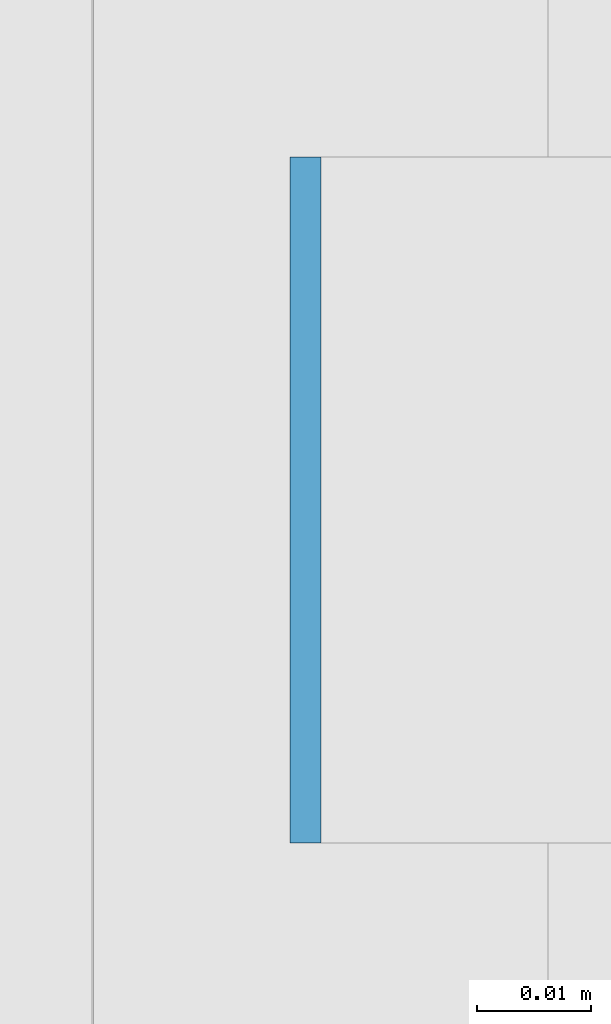
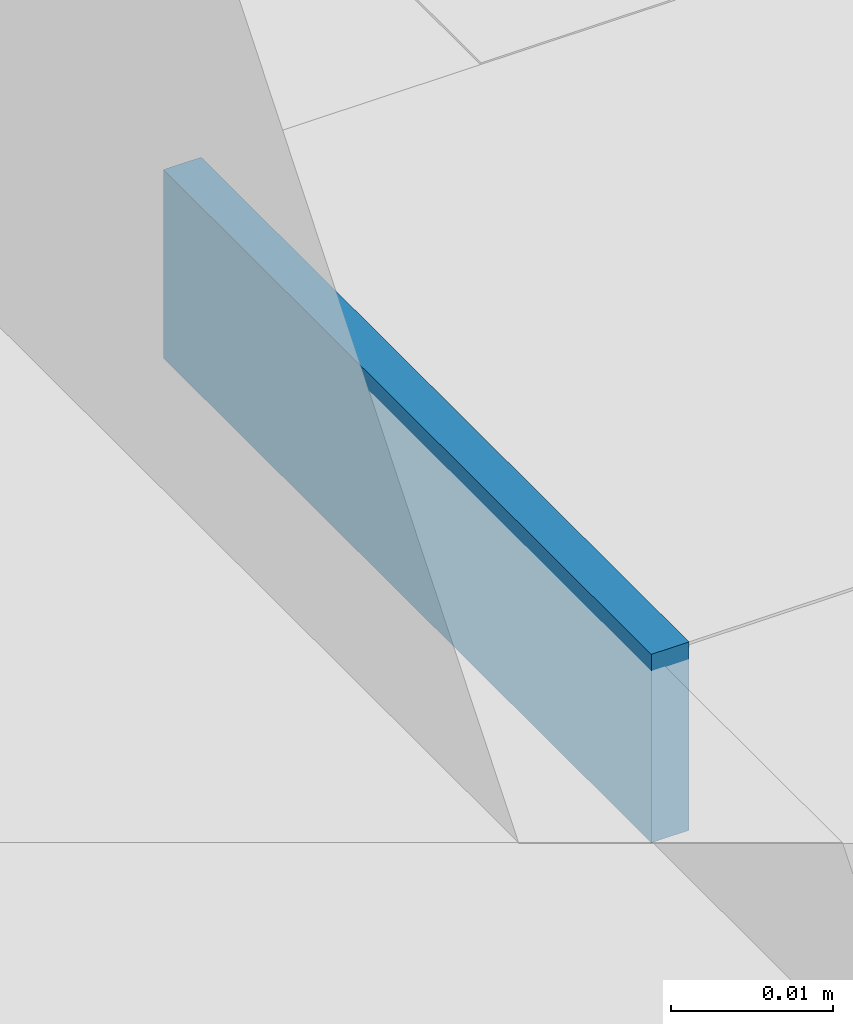
# One storey, part 517 of 646: 1 discrete accessory.
"""IFC4 building model written with IfcOpenShell, lengths in metres."""

from ifc_helpers import new_model, si_unit, direction, frame, origin, origin_2d, place, context, subcontext, project, spatial, rectangle, extrude, material, type_object, element, save


model = new_model("IFC4")

# Units and contexts
model_context = context("Model", 3, precision=1e-05, world=origin(), true_north=direction((0.0, 1.0)))
body_context = subcontext(model_context, "Body", "Model", "MODEL_VIEW")
ifc_project = project(units=[si_unit("LENGTHUNIT", "METRE"), si_unit("AREAUNIT", "SQUARE_METRE"), si_unit("VOLUMEUNIT", "CUBIC_METRE"), si_unit("PLANEANGLEUNIT", "RADIAN"), si_unit("MASSUNIT", "GRAM", prefix="KILO")], contexts=[model_context])

# Site, building, storey
site_placement = place(None, origin())
site = spatial("IfcSite", under=ifc_project, at=site_placement, CompositionType="ELEMENT")
building_placement = place(site_placement, origin())
building = spatial("IfcBuilding", under=site, at=building_placement, Name="Silverbay Arena", CompositionType="ELEMENT")
storey_placement = place(building_placement, frame((0.0, 0.0, 33.5)))
storey = spatial("IfcBuildingStorey", under=building, at=storey_placement, Name="L05", CompositionType="ELEMENT", Elevation=33.5)

# Discrete accessory
ifc_material = material(Name="Steel S355", Category="steel")
discrete_accessory_type = type_object("IfcDiscreteAccessoryType", Name="Steel bracket plate", PredefinedType="BRACKET", material=ifc_material)
discrete_accessory_placement = place(storey_placement, frame((207.128662109375, 77.142822265625, 12.98583984375), z_axis=(0.0, 0.0, 1.0), x_axis=(1.0, 0.0, 0.0)))
element("IfcDiscreteAccessory", 1, at=discrete_accessory_placement, inside=storey, type_object=discrete_accessory_type, Name="Curtain wall packing plate", PredefinedType="BRACKET", context=body_context, shape_type="SweptSolid", body=[
    extrude(rectangle(XDim=0.002685546875, YDim=0.06005859375, at=origin_2d()), origin(), (0.0, 0.0, 1.0), 0.01416015625),
])

save(model, "model.ifc")
